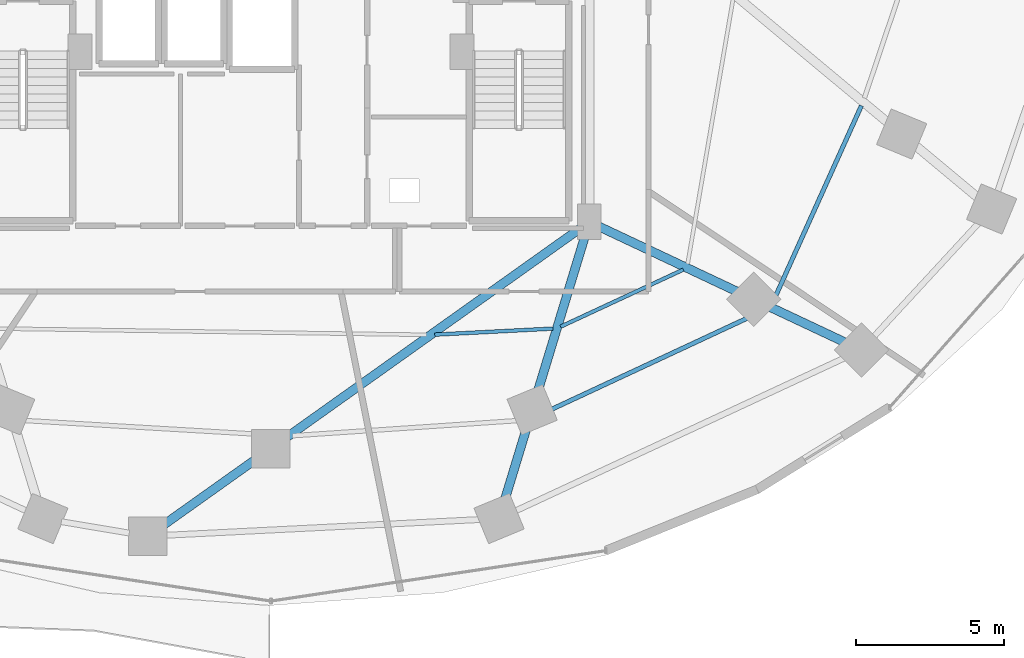
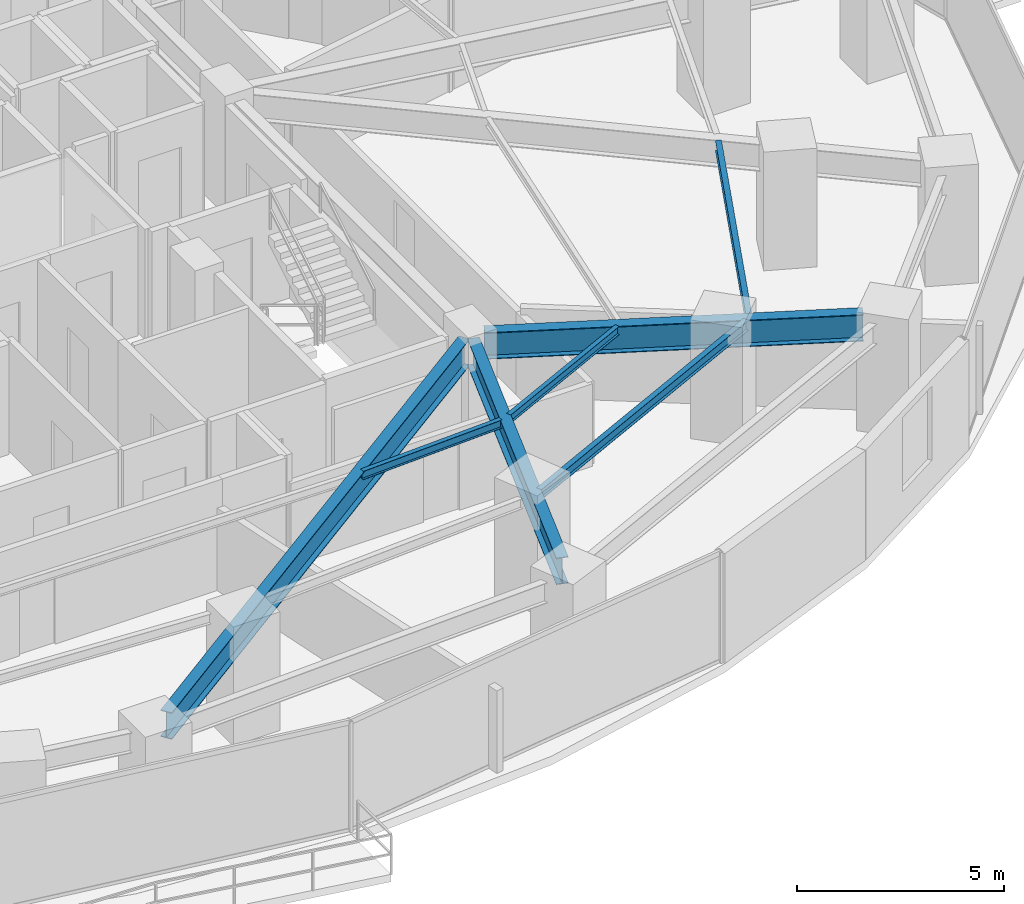
# One storey, part 10 of 30: 7 beams.
"""IFC4 building model written with IfcOpenShell, lengths in metres."""

from ifc_helpers import new_model, si_unit, direction, frame, origin, origin_2d, place, context, subcontext, project, spatial, i_section, extrude, material, material_profile, profile_set, type_object, element, save


model = new_model("IFC4")

# Units and contexts
model_context = context("Model", 3, precision=1e-05, world=origin(), true_north=direction((0.0, 1.0)))
body_context = subcontext(model_context, "Body", "Model", "MODEL_VIEW")
ifc_project = project(units=[si_unit("LENGTHUNIT", "METRE"), si_unit("AREAUNIT", "SQUARE_METRE"), si_unit("VOLUMEUNIT", "CUBIC_METRE"), si_unit("PLANEANGLEUNIT", "RADIAN"), si_unit("MASSUNIT", "GRAM", prefix="KILO")], contexts=[model_context])

# Site, building, storey
site_placement = place(None, origin())
site = spatial("IfcSite", under=ifc_project, at=site_placement, CompositionType="ELEMENT")
building_placement = place(site_placement, origin())
building = spatial("IfcBuilding", under=site, at=building_placement, Name="Vorneva Point Tower", CompositionType="ELEMENT")
storey_placement = place(building_placement, frame((0.0, 0.0, 41.5)))
storey = spatial("IfcBuildingStorey", under=building, at=storey_placement, Name="L10", CompositionType="ELEMENT", Elevation=41.5)

# Beams
ifc_material = material(Name="Steel S355", Category="steel")
ifc_material_profile_1 = material_profile(ifc_material, i_section(OverallWidth=0.300048828125, OverallDepth=0.7880859375, WebThickness=0.014404296875, FlangeThickness=0.02197265625, at=origin_2d()), Name="80Sh1")
ifc_profile_set_1 = profile_set([ifc_material_profile_1], Name="Steel S355")
beam_type_1 = type_object("IfcBeamType", Name="BM-GRD-80Sh1", PredefinedType="USERDEFINED", material=ifc_profile_set_1)
beam_1_placement = place(storey_placement, frame((34.360107421875, 6.209716796875, 2.845947265625), z_axis=(0.814752171819, 0.579809363943, 0.0), x_axis=(-0.579809363943, 0.814752171819, 0.0)))
element("IfcBeam", 1, at=beam_1_placement, inside=storey, type_object=beam_type_1, Name="L10 Radial Primary Girder 13", ObjectType="GIRDER", PredefinedType="USERDEFINED", context=body_context, shape_type="SweptSolid", body=[
    extrude(i_section(OverallWidth=0.300048828125, OverallDepth=0.7880859375, WebThickness=0.014404296875, FlangeThickness=0.02197265625, at=origin_2d()), origin(), (0.0, 0.0, 1.0), 17.321533203125),
])
beam_2_placement = place(storey_placement, frame((45.888916015625, 7.045654296875, 2.845947265625), z_axis=(0.29104183924, 0.956710325967, 0.0), x_axis=(-0.956710325967, 0.29104183924, 0.0)))
element("IfcBeam", 2, at=beam_2_placement, inside=storey, type_object=beam_type_1, Name="L10 Radial Primary Girder 14", ObjectType="GIRDER", PredefinedType="USERDEFINED", context=body_context, shape_type="SweptSolid", body=[
    extrude(i_section(OverallWidth=0.300048828125, OverallDepth=0.7880859375, WebThickness=0.014404296875, FlangeThickness=0.02197265625, at=origin_2d()), origin(), (0.0, 0.0, 1.0), 9.489990234375),
])
beam_3_placement = place(storey_placement, frame((57.361572265625, 12.39599609375, 2.845947265625), z_axis=(-0.904758409006, 0.425925135831, 0.0), x_axis=(-0.425925135831, -0.904758409006, 0.0)))
element("IfcBeam", 3, at=beam_3_placement, inside=storey, type_object=beam_type_1, Name="L10 Radial Primary Girder 15", ObjectType="GIRDER", PredefinedType="USERDEFINED", context=body_context, shape_type="SweptSolid", body=[
    extrude(i_section(OverallWidth=0.300048828125, OverallDepth=0.7880859375, WebThickness=0.014404296875, FlangeThickness=0.02197265625, at=origin_2d()), origin(), (0.0, 0.0, 1.0), 9.177978515625),
])
ifc_material_profile_2 = material_profile(ifc_material, i_section(OverallWidth=0.1240234375, OverallDepth=0.248046875, WebThickness=0.0048828125, FlangeThickness=0.008056640625, at=origin_2d()), Name="25B1")
ifc_profile_set_2 = profile_set([ifc_material_profile_2], Name="Steel S355")
beam_type_2 = type_object("IfcBeamType", Name="BM-JST-25B1", PredefinedType="JOIST", material=ifc_profile_set_2)
beam_4_placement = place(storey_placement, frame((43.5302734375, 12.64453125, 3.115966796875), z_axis=(0.99868702203, 0.051227258644, 0.0), x_axis=(-0.051227258644, 0.99868702203, 0.0)))
element("IfcBeam", 4, at=beam_4_placement, inside=storey, type_object=beam_type_2, Name="L10 Secondary Floor Beam 2.13", PredefinedType="JOIST", context=body_context, shape_type="SweptSolid", body=[
    extrude(i_section(OverallWidth=0.1240234375, OverallDepth=0.248046875, WebThickness=0.0048828125, FlangeThickness=0.008056640625, at=origin_2d()), origin(), (0.0, 0.0, 1.0), 3.99365234375),
])
beam_5_placement = place(storey_placement, frame((47.78173828125, 12.914306640625, 3.115966796875), z_axis=(0.906750590893, 0.421667364063, 0.0), x_axis=(-0.421667364063, 0.906750590893, 0.0)))
element("IfcBeam", 5, at=beam_5_placement, inside=storey, type_object=beam_type_2, Name="L10 Secondary Floor Beam 2.14", PredefinedType="JOIST", context=body_context, shape_type="SweptSolid", body=[
    extrude(i_section(OverallWidth=0.1240234375, OverallDepth=0.248046875, WebThickness=0.0048828125, FlangeThickness=0.008056640625, at=origin_2d()), origin(), (0.0, 0.0, 1.0), 4.56591796875),
])
ifc_material_profile_3 = material_profile(ifc_material, i_section(OverallWidth=0.14892578125, OverallDepth=0.298095703125, WebThickness=0.005615234375, FlangeThickness=0.008056640625, at=origin_2d()), Name="30B1")
ifc_profile_set_3 = profile_set([ifc_material_profile_3], Name="Steel S355")
beam_type_3 = type_object("IfcBeamType", Name="BM-JST-30B1", PredefinedType="JOIST", material=ifc_profile_set_3)
beam_6_placement = place(storey_placement, frame((46.842529296875, 9.82763671875, 3.091064453125), z_axis=(0.906403355504, 0.422413253971, 0.0), x_axis=(-0.422413253971, 0.906403355504, 0.0)))
element("IfcBeam", 6, at=beam_6_placement, inside=storey, type_object=beam_type_3, Name="L10 Secondary Floor Beam 1.14", PredefinedType="JOIST", context=body_context, shape_type="SweptSolid", body=[
    extrude(i_section(OverallWidth=0.14892578125, OverallDepth=0.298095703125, WebThickness=0.005615234375, FlangeThickness=0.008056640625, at=origin_2d()), origin(), (0.0, 0.0, 1.0), 8.718505859375),
])
beam_7_placement = place(storey_placement, frame((54.927001953125, 13.694580078125, 3.091064453125), z_axis=(0.410896568671, 0.911681967494, 0.0), x_axis=(-0.911681967494, 0.410896568671, 0.0)))
element("IfcBeam", 7, at=beam_7_placement, inside=storey, type_object=beam_type_3, Name="L10 Secondary Floor Beam 1.15", PredefinedType="JOIST", context=body_context, shape_type="SweptSolid", body=[
    extrude(i_section(OverallWidth=0.14892578125, OverallDepth=0.298095703125, WebThickness=0.005615234375, FlangeThickness=0.008056640625, at=origin_2d()), origin(), (0.0, 0.0, 1.0), 7.327880859375),
])

save(model, "model.ifc")
